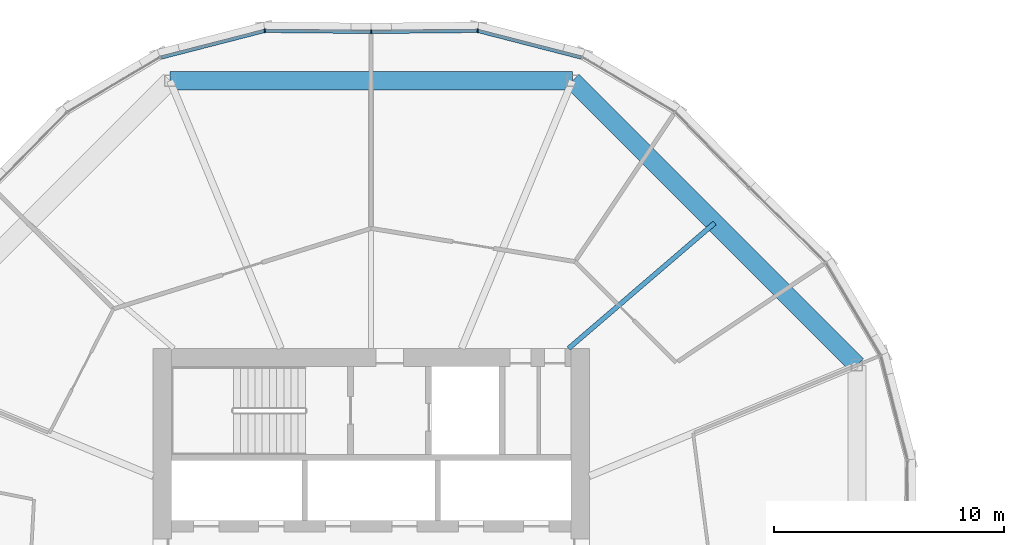
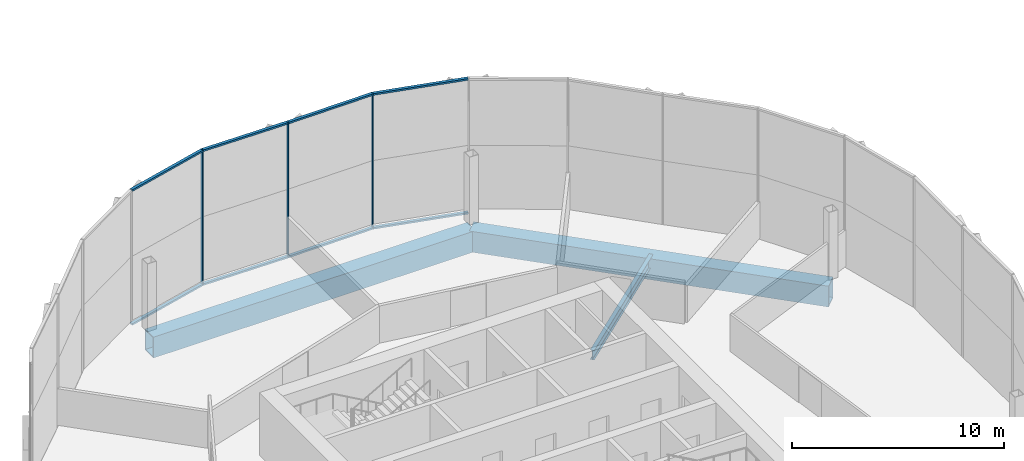
# One storey, part 8 of 31: 11 members, 3 beams, 2 elements without a shape of their own.
"""IFC4 building model written with IfcOpenShell, lengths in metres."""

from ifc_helpers import new_model, si_unit, direction, frame, origin, origin_2d, place, context, subcontext, project, spatial, rectangle, hollow_rectangle, i_section, extrude, material, material_profile, profile_set, type_object, element, aggregate, save


model = new_model("IFC4")

# Units and contexts
model_context = context("Model", 3, precision=1e-05, world=origin(), true_north=direction((0.0, 1.0)))
body_context = subcontext(model_context, "Body", "Model", "MODEL_VIEW")
ifc_project = project(units=[si_unit("LENGTHUNIT", "METRE"), si_unit("AREAUNIT", "SQUARE_METRE"), si_unit("VOLUMEUNIT", "CUBIC_METRE"), si_unit("PLANEANGLEUNIT", "RADIAN"), si_unit("MASSUNIT", "GRAM", prefix="KILO")], contexts=[model_context])

# Site, building, storey
site_placement = place(None, origin())
site = spatial("IfcSite", under=ifc_project, at=site_placement, CompositionType="ELEMENT")
building_placement = place(site_placement, origin())
building = spatial("IfcBuilding", under=site, at=building_placement, Name="Ogive Gate Towers", CompositionType="ELEMENT")
storey_placement = place(building_placement, frame((0.0, 0.0, 63.60009765625)))
storey = spatial("IfcBuildingStorey", under=building, at=storey_placement, Name="L14", CompositionType="ELEMENT", Elevation=63.60009765625)

# Beams
ifc_material_1 = material(Name="Steel SM460", Category="steel")
ifc_material_profile_1 = material_profile(ifc_material_1, hollow_rectangle(XDim=0.800048828125, YDim=1.199951171875, WallThickness=0.050048828125, at=origin_2d()), Name="BX 1200x800x50")
ifc_profile_set_1 = profile_set([ifc_material_profile_1], Name="Steel SM460")
beam_type_1 = type_object("IfcBeamType", Name="Edge girder BX 1200x800x50", PredefinedType="BEAM", material=ifc_profile_set_1)
for number, where, z_axis, x_axis, name in (
    (1, (-14.84326171875, 8.763427734375, -0.900146484375), (-0.707106781187, 0.707106781187, 0.0), (-0.707106781187, -0.707106781187, 0.0), "T1/L14/SBM021"),
    (2, (-27.236572265625, 21.15673828125, -0.900146484375), (-1.0, 0.0, 0.0), (0.0, -1.0, 0.0), "T1/L14/SBM022"),
):
    element("IfcBeam", number, at=place(storey_placement, frame(where, z_axis=z_axis, x_axis=x_axis)), inside=storey, type_object=beam_type_1, Name=name, PredefinedType="BEAM", context=body_context, shape_type="SweptSolid", body=[
        extrude(hollow_rectangle(XDim=0.800048828125, YDim=1.199951171875, WallThickness=0.050048828125, at=origin_2d()), origin(), (0.0, 0.0, 1.0), 17.52685546875),
    ])
ifc_material_2 = material(Name="Steel SM355", Category="steel")
ifc_material_profile_2 = material_profile(ifc_material_2, i_section(OverallWidth=0.2099609375, OverallDepth=0.550048828125, WebThickness=0.010986328125, FlangeThickness=0.01708984375, FilletRadius=0.02392578125, at=origin_2d()), Name="IPE 550")
ifc_profile_set_2 = profile_set([ifc_material_profile_2], Name="Steel SM355")
beam_type_2 = type_object("IfcBeamType", Name="Radial floor beam IPE 550", PredefinedType="BEAM", material=ifc_profile_set_2)
beam_placement = place(storey_placement, frame((-27.39990234375, 9.5, -0.5751953125), z_axis=(0.75874444664, 0.651388413078, 0.0), x_axis=(-0.651388413078, 0.75874444664, 0.0)))
element("IfcBeam", 3, at=beam_placement, inside=storey, type_object=beam_type_2, Name="T1/L14/SBM010", PredefinedType="BEAM", context=body_context, shape_type="SweptSolid", body=[
    extrude(i_section(OverallWidth=0.2099609375, OverallDepth=0.550048828125, WebThickness=0.010986328125, FlangeThickness=0.01708984375, FilletRadius=0.02392578125, at=origin_2d()), origin(), (0.0, 0.0, 1.0), 8.38232421875),
])

# Curtain wall, members
ifc_material_3 = material(Name="Pale metal aluminium", Category="aluminium")
curtain_wall_type = type_object("IfcCurtainWallType", Name="Tower unitised wall, low zone", PredefinedType="NOTDEFINED", material=ifc_material_3)
curtain_wall_1_placement = place(storey_placement, origin())
curtain_wall_1 = element("IfcCurtainWall", 4, at=curtain_wall_1_placement, inside=storey, type_object=curtain_wall_type, Name="CW1 T1 ECW02", PredefinedType="NOTDEFINED")
ifc_material_profile_3 = material_profile(ifc_material_3, rectangle(XDim=0.159912109375, YDim=0.06005859375, at=origin_2d()), Name="60 x 160 aluminium box")
ifc_profile_set_3 = profile_set([ifc_material_profile_3], Name="Pale metal aluminium")
member_type_1 = type_object("IfcMemberType", Name="Tower unitised wall, low zone mullion 60 x 160", PredefinedType="MULLION", material=ifc_profile_set_3)
member_1_placement = place(storey_placement, frame((-31.364501953125, 23.334716796875, -0.300048828125), z_axis=(0.0, 0.0, 1.0), x_axis=(0.120847210271, 0.992671119641, 0.0)))
member_1 = element("IfcMember", 5, at=member_1_placement, type_object=member_type_1, Name="CW1 mullion", PredefinedType="MULLION", context=body_context, shape_type="SweptSolid", body=[
    extrude(rectangle(XDim=0.159912109375, YDim=0.06005859375, at=origin_2d()), origin(), (0.0, 0.0, 1.0), 7.800048828125),
])
member_2_placement = place(storey_placement, frame((-35.999755859375, 23.2900390625, -0.300048828125), z_axis=(0.0, 0.0, 1.0), x_axis=(-0.009599163462, 0.999953926969, 0.0)))
member_2 = element("IfcMember", 6, at=member_2_placement, type_object=member_type_1, Name="CW1 mullion", PredefinedType="MULLION", context=body_context, shape_type="SweptSolid", body=[
    extrude(rectangle(XDim=0.159912109375, YDim=0.06005859375, at=origin_2d()), origin(), (0.0, 0.0, 1.0), 7.800048828125),
])

# Curtain wall, member
curtain_wall_2_placement = place(storey_placement, origin())
curtain_wall_2 = element("IfcCurtainWall", 7, at=curtain_wall_2_placement, inside=storey, type_object=curtain_wall_type, Name="CW1 T1 ECW03", PredefinedType="NOTDEFINED")
member_3_placement = place(storey_placement, frame((-40.635498046875, 23.334716796875, -0.300048828125), z_axis=(0.0, 0.0, 1.0), x_axis=(-0.120847210271, 0.992671119641, 0.0)))
member_3 = element("IfcMember", 8, at=member_3_placement, type_object=member_type_1, Name="CW1 mullion", PredefinedType="MULLION", context=body_context, shape_type="SweptSolid", body=[
    extrude(rectangle(XDim=0.159912109375, YDim=0.06005859375, at=origin_2d()), origin(), (0.0, 0.0, 1.0), 7.800048828125),
])

# Member
ifc_material_profile_4 = material_profile(ifc_material_3, rectangle(XDim=0.159912109375, YDim=0.10009765625, at=origin_2d()), Name="100 x 160 aluminium box")
ifc_profile_set_4 = profile_set([ifc_material_profile_4], Name="Pale metal aluminium")
member_type_2 = type_object("IfcMemberType", Name="Tower unitised wall, low zone transom 100 x 160", PredefinedType="USERDEFINED", material=ifc_profile_set_4)
member_4_placement = place(storey_placement, frame((-26.845458984375, 22.17138671875, 7.449951171875), z_axis=(-0.968441413221, 0.249241307087, 0.0), x_axis=(-0.249241307087, -0.968441413221, 0.0)))
member_4 = element("IfcMember", 9, at=member_4_placement, type_object=member_type_2, Name="CW1 transom", ObjectType="TRANSOM", PredefinedType="USERDEFINED", context=body_context, shape_type="SweptSolid", body=[
    extrude(rectangle(XDim=0.159912109375, YDim=0.10009765625, at=origin_2d()), origin(), (0.0, 0.0, 1.0), 4.63916015625),
])

member_5_placement = place(storey_placement, frame((-26.845458984375, 22.17138671875, -0.25), z_axis=(-0.968441413221, 0.249241307087, 0.0), x_axis=(-0.249241307087, -0.968441413221, 0.0)))
member_5 = element("IfcMember", 10, at=member_5_placement, type_object=member_type_2, Name="CW1 transom", ObjectType="TRANSOM", PredefinedType="USERDEFINED", context=body_context, shape_type="SweptSolid", body=[
    extrude(rectangle(XDim=0.159912109375, YDim=0.10009765625, at=origin_2d()), origin(), (0.0, 0.0, 1.0), 4.63916015625),
])

member_6_placement = place(storey_placement, frame((-31.39208984375, 23.334228515625, 7.449951171875), z_axis=(-0.999953923185, -0.009599557663, 0.0), x_axis=(0.009599557663, -0.999953923185, 0.0)))
member_6 = element("IfcMember", 11, at=member_6_placement, type_object=member_type_2, Name="CW1 transom", ObjectType="TRANSOM", PredefinedType="USERDEFINED", context=body_context, shape_type="SweptSolid", body=[
    extrude(rectangle(XDim=0.159912109375, YDim=0.10009765625, at=origin_2d()), origin(), (0.0, 0.0, 1.0), 4.577880859375),
])

member_7_placement = place(storey_placement, frame((-31.39208984375, 23.334228515625, -0.25), z_axis=(-0.999953923185, -0.009599557663, 0.0), x_axis=(0.009599557663, -0.999953923185, 0.0)))
member_7 = element("IfcMember", 12, at=member_7_placement, type_object=member_type_2, Name="CW1 transom", ObjectType="TRANSOM", PredefinedType="USERDEFINED", context=body_context, shape_type="SweptSolid", body=[
    extrude(rectangle(XDim=0.159912109375, YDim=0.10009765625, at=origin_2d()), origin(), (0.0, 0.0, 1.0), 4.577880859375),
])

aggregate(curtain_wall_1, [member_1, member_4, member_5, member_2, member_6, member_7])

member_8_placement = place(storey_placement, frame((-36.0302734375, 23.290283203125, 7.449951171875), z_axis=(-0.999953923185, 0.009599557663, 0.0), x_axis=(-0.009599557663, -0.999953923185, 0.0)))
member_8 = element("IfcMember", 13, at=member_8_placement, type_object=member_type_2, Name="CW1 transom", ObjectType="TRANSOM", PredefinedType="USERDEFINED", context=body_context, shape_type="SweptSolid", body=[
    extrude(rectangle(XDim=0.159912109375, YDim=0.10009765625, at=origin_2d()), origin(), (0.0, 0.0, 1.0), 4.577880859375),
])

member_9_placement = place(storey_placement, frame((-36.0302734375, 23.290283203125, -0.25), z_axis=(-0.999953923185, 0.009599557663, 0.0), x_axis=(-0.009599557663, -0.999953923185, 0.0)))
member_9 = element("IfcMember", 14, at=member_9_placement, type_object=member_type_2, Name="CW1 transom", ObjectType="TRANSOM", PredefinedType="USERDEFINED", context=body_context, shape_type="SweptSolid", body=[
    extrude(rectangle(XDim=0.159912109375, YDim=0.10009765625, at=origin_2d()), origin(), (0.0, 0.0, 1.0), 4.577880859375),
])

member_10_placement = place(storey_placement, frame((-40.661865234375, 23.32763671875, 7.449951171875), z_axis=(-0.968441413221, -0.249241307087, 0.0), x_axis=(0.249241307087, -0.968441413221, 0.0)))
member_10 = element("IfcMember", 15, at=member_10_placement, type_object=member_type_2, Name="CW1 transom", ObjectType="TRANSOM", PredefinedType="USERDEFINED", context=body_context, shape_type="SweptSolid", body=[
    extrude(rectangle(XDim=0.159912109375, YDim=0.10009765625, at=origin_2d()), origin(), (0.0, 0.0, 1.0), 4.63916015625),
])

member_11_placement = place(storey_placement, frame((-40.661865234375, 23.32763671875, -0.25), z_axis=(-0.968441413221, -0.249241307087, 0.0), x_axis=(0.249241307087, -0.968441413221, 0.0)))
member_11 = element("IfcMember", 16, at=member_11_placement, type_object=member_type_2, Name="CW1 transom", ObjectType="TRANSOM", PredefinedType="USERDEFINED", context=body_context, shape_type="SweptSolid", body=[
    extrude(rectangle(XDim=0.159912109375, YDim=0.10009765625, at=origin_2d()), origin(), (0.0, 0.0, 1.0), 4.63916015625),
])

aggregate(curtain_wall_2, [member_3, member_8, member_9, member_10, member_11])

save(model, "model.ifc")
